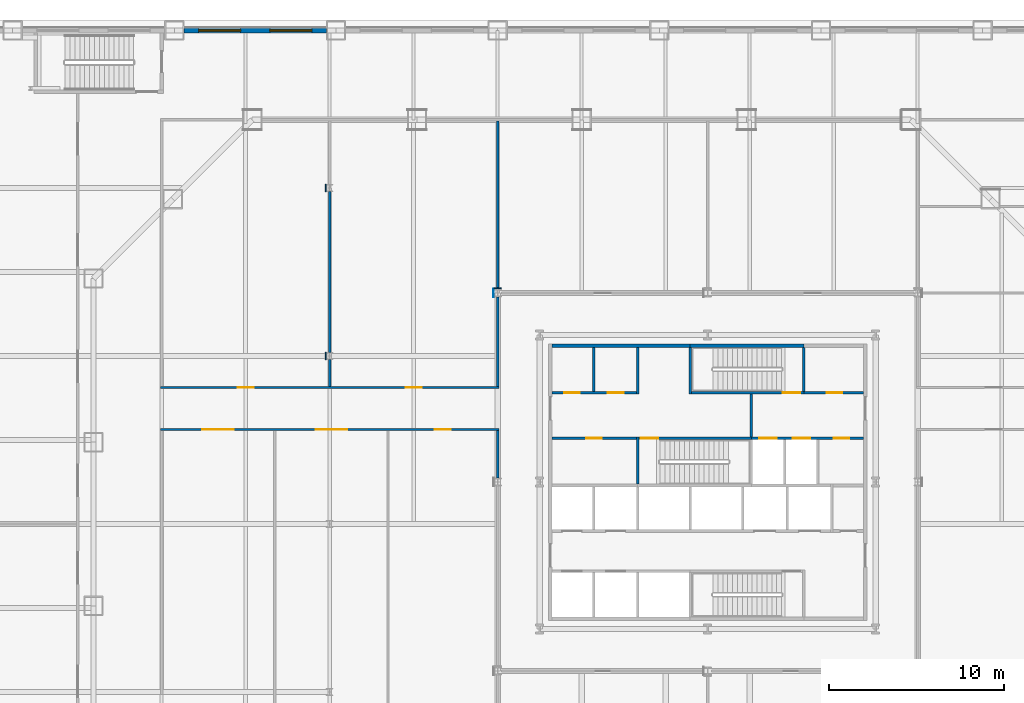
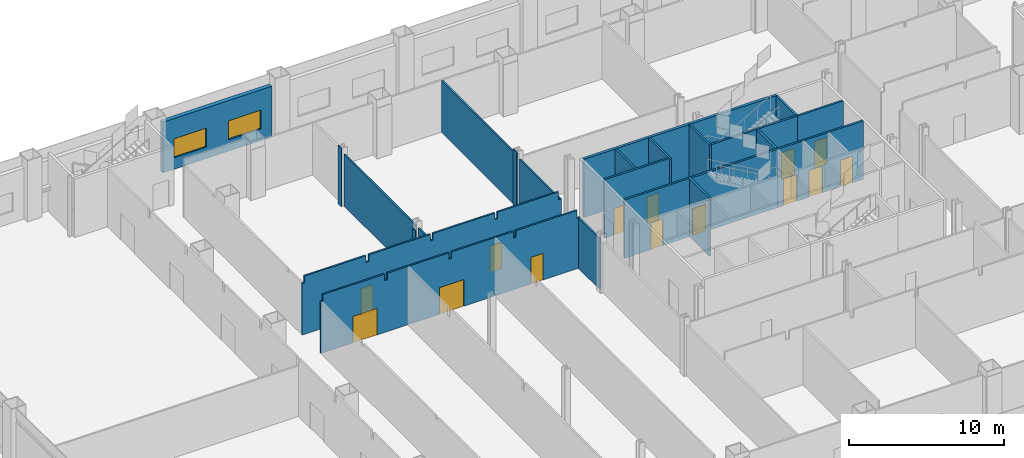
# One storey, part 15 of 26: 26 walls, 14 doors, 2 windows, 16 openings.
"""IFC4 building model written with IfcOpenShell, lengths in metres."""

from ifc_helpers import new_model, si_unit, direction, frame, frame_2d, origin, place, context, subcontext, project, spatial, polyline, rectangle, outline, extrude, material, layer, layer_set, type_object, element, fill, save


model = new_model("IFC4")

# Units and contexts
model_context = context("Model", 3, precision=1e-05, world=origin(), true_north=direction((0.0, 1.0)))
body_context = subcontext(model_context, "Body", "Model", "MODEL_VIEW")
ifc_project = project(units=[si_unit("LENGTHUNIT", "METRE"), si_unit("AREAUNIT", "SQUARE_METRE"), si_unit("VOLUMEUNIT", "CUBIC_METRE"), si_unit("PLANEANGLEUNIT", "RADIAN"), si_unit("MASSUNIT", "GRAM", prefix="KILO")], contexts=[model_context])

# Site, building, storey
site_placement = place(None, origin())
site = spatial("IfcSite", under=ifc_project, at=site_placement, CompositionType="ELEMENT")
building_placement = place(site_placement, origin())
building = spatial("IfcBuilding", under=site, at=building_placement, Name="Cairn Pilgrim Tower", CompositionType="ELEMENT")
storey_placement = place(building_placement, frame((0.0, 0.0, 25.800048828125)))
storey = spatial("IfcBuildingStorey", under=building, at=storey_placement, Name="L04", CompositionType="ELEMENT", Elevation=25.800048828125)

# Wall
ifc_material_1 = material(Name="Concrete C32/40", Category="concrete")
ifc_layer_1 = layer(ifc_material_1, 0.199951171875)
ifc_layer_set_1 = layer_set([ifc_layer_1], Name="CORE OUTER WALL 200 EI 120")
wall_type_1 = type_object("IfcWallType", Name="CORE OUTER WALL 200 EI 120", PredefinedType="SOLIDWALL", material=ifc_layer_set_1)
wall_1_placement = place(storey_placement, frame((-1.699951171875, 10.199951171875, 0.0), z_axis=(0.0, 0.0, 1.0), x_axis=(1.0, 0.0, 0.0)))
element("IfcWall", 1, at=wall_1_placement, inside=storey, type_object=wall_type_1, Name="CW:L04:H11-1", PredefinedType="SOLIDWALL", context=body_context, shape_type="SweptSolid", body=[
    extrude(rectangle(XDim=7.89990234375, YDim=0.199951171875, at=frame_2d((3.949951171875, 0.0))), origin(), (0.0, 0.0, 1.0), 4.599853515625),
])

# Wall, opening, door
ifc_layer_2 = layer(ifc_material_1, 0.14990234375)
ifc_layer_set_2 = layer_set([ifc_layer_2], Name="CORE PARTITION 150 EI 60")
wall_type_2 = type_object("IfcWallType", Name="CORE PARTITION 150 EI 60", PredefinedType="PARTITIONING", material=ifc_layer_set_2)
wall_2_placement = place(storey_placement, frame((-1.699951171875, 4.89990234375, 0.0), z_axis=(0.0, 0.0, 1.0), x_axis=(1.0, 0.0, 0.0)))
wall_2 = element("IfcWall", 2, at=wall_2_placement, inside=storey, type_object=wall_type_2, Name="CW:L04:H07", PredefinedType="PARTITIONING", context=body_context, shape_type="SweptSolid", body=[
    extrude(rectangle(XDim=4.824951171875, YDim=0.14990234375, at=frame_2d((2.41259765625, 0.0))), origin(), (0.0, 0.0, 1.0), 4.599853515625),
])
opening_1_placement = place(wall_2_placement, frame((1.949951171875, 0.0, 0.0)))
opening_1 = element("IfcOpeningElement", 3, at=opening_1_placement, cuts=wall_2, Name="Opening RD-R3W1", PredefinedType="OPENING", context=body_context, shape_type="SweptSolid", body=[
    extrude(rectangle(XDim=0.89990234375, YDim=2.10009765625, at=frame_2d((0.449951171875, 1.050048828125))), frame((0.0, 0.0849609375, 0.0), z_axis=(0.0, -1.0, 0.0), x_axis=(1.0, 0.0, 0.0)), (0.0, 0.0, 1.0), 0.169921875),
])
ifc_material_2 = material(Name="Painted steel", Category="steel")
door_type_1 = type_object("IfcDoorType", Name="SERVICE ROOM DOOR 900x2100", OperationType="SINGLE_SWING_LEFT", PredefinedType="DOOR", material=ifc_material_2)
door_1_placement = place(opening_1_placement, origin())
door_1 = element("IfcDoor", 4, at=door_1_placement, inside=storey, type_object=door_type_1, Name="RD-R3W1", OperationType="SINGLE_SWING_LEFT", OverallHeight=2.10009765625, OverallWidth=0.89990234375, PredefinedType="DOOR", context=body_context, shape_type="SweptSolid", body=[
    extrude(rectangle(XDim=0.89990234375, YDim=2.10009765625, at=frame_2d((0.449951171875, 1.050048828125))), frame((0.0, 0.02490234375, 0.0), z_axis=(0.0, -1.0, 0.0), x_axis=(1.0, 0.0, 0.0)), (0.0, 0.0, 1.0), 0.050048828125),
])
fill(opening_1, door_1)

# Wall, openings, doors
wall_3_placement = place(storey_placement, frame((-1.699951171875, 7.5, 0.0), z_axis=(0.0, 0.0, 1.0), x_axis=(1.0, 0.0, 0.0)))
wall_3 = element("IfcWall", 5, at=wall_3_placement, inside=storey, type_object=wall_type_2, Name="CW:L04:H09", PredefinedType="PARTITIONING", context=body_context, shape_type="SweptSolid", body=[
    extrude(rectangle(XDim=4.824951171875, YDim=0.14990234375, at=frame_2d((2.41259765625, 0.0))), origin(), (0.0, 0.0, 1.0), 4.599853515625),
])
opening_2_placement = place(wall_3_placement, frame((0.699951171875, 0.0, 0.0)))
opening_2 = element("IfcOpeningElement", 6, at=opening_2_placement, cuts=wall_3, Name="Opening RD-R4W1", PredefinedType="OPENING", context=body_context, shape_type="SweptSolid", body=[
    extrude(rectangle(XDim=0.89990234375, YDim=2.10009765625, at=frame_2d((0.449951171875, 1.050048828125))), frame((0.0, 0.0849609375, 0.0), z_axis=(0.0, -1.0, 0.0), x_axis=(1.0, 0.0, 0.0)), (0.0, 0.0, 1.0), 0.169921875),
])
opening_3_placement = place(wall_3_placement, frame((3.199951171875, 0.0, 0.0)))
opening_3 = element("IfcOpeningElement", 7, at=opening_3_placement, cuts=wall_3, Name="Opening RD-R4W2", PredefinedType="OPENING", context=body_context, shape_type="SweptSolid", body=[
    extrude(rectangle(XDim=0.89990234375, YDim=2.10009765625, at=frame_2d((0.449951171875, 1.050048828125))), frame((0.0, 0.0849609375, 0.0), z_axis=(0.0, -1.0, 0.0), x_axis=(1.0, 0.0, 0.0)), (0.0, 0.0, 1.0), 0.169921875),
])
door_2_placement = place(opening_2_placement, origin())
door_2 = element("IfcDoor", 8, at=door_2_placement, inside=storey, type_object=door_type_1, Name="RD-R4W1", OperationType="SINGLE_SWING_RIGHT", OverallHeight=2.10009765625, OverallWidth=0.89990234375, PredefinedType="DOOR", context=body_context, shape_type="SweptSolid", body=[
    extrude(rectangle(XDim=0.89990234375, YDim=2.10009765625, at=frame_2d((0.449951171875, 1.050048828125))), frame((0.0, 0.02490234375, 0.0), z_axis=(0.0, -1.0, 0.0), x_axis=(1.0, 0.0, 0.0)), (0.0, 0.0, 1.0), 0.050048828125),
])
fill(opening_2, door_2)
door_3_placement = place(opening_3_placement, origin())
door_3 = element("IfcDoor", 9, at=door_3_placement, inside=storey, type_object=door_type_1, Name="RD-R4W2", OperationType="SINGLE_SWING_LEFT", OverallHeight=2.10009765625, OverallWidth=0.89990234375, PredefinedType="DOOR", context=body_context, shape_type="SweptSolid", body=[
    extrude(rectangle(XDim=0.89990234375, YDim=2.10009765625, at=frame_2d((0.449951171875, 1.050048828125))), frame((0.0, 0.02490234375, 0.0), z_axis=(0.0, -1.0, 0.0), x_axis=(1.0, 0.0, 0.0)), (0.0, 0.0, 1.0), 0.050048828125),
])
fill(opening_3, door_3)

# Walls
wall_4_placement = place(storey_placement, frame((0.699951171875, 7.574951171875, 0.0), z_axis=(0.0, 0.0, 1.0), x_axis=(0.0, 1.0, 0.0)))
element("IfcWall", 10, at=wall_4_placement, inside=storey, type_object=wall_type_2, Name="CW:L04:V15", PredefinedType="PARTITIONING", context=body_context, shape_type="SweptSolid", body=[
    extrude(rectangle(XDim=2.525146484375, YDim=0.14990234375, at=frame_2d((1.2626953125, 0.0))), origin(), (0.0, 0.0, 1.0), 4.599853515625),
])
wall_5_placement = place(storey_placement, frame((3.199951171875, 7.425048828125, 0.0), z_axis=(0.0, 0.0, 1.0), x_axis=(0.0, 1.0, 0.0)))
element("IfcWall", 11, at=wall_5_placement, inside=storey, type_object=wall_type_2, Name="CW:L04:V19", PredefinedType="PARTITIONING", context=body_context, shape_type="SweptSolid", body=[
    extrude(rectangle(XDim=2.675048828125, YDim=0.14990234375, at=frame_2d((1.33740234375, 0.0))), origin(), (0.0, 0.0, 1.0), 4.599853515625),
])

# Wall, openings, doors
ifc_layer_3 = layer(ifc_material_1, 0.14990234375)
ifc_layer_set_3 = layer_set([ifc_layer_3], Name="CORE SHAFT WALL 150 EI 120")
wall_type_3 = type_object("IfcWallType", Name="CORE SHAFT WALL 150 EI 120", PredefinedType="SOLIDWALL", material=ifc_layer_set_3)
wall_6_placement = place(storey_placement, frame((9.699951171875, 4.89990234375, 0.0), z_axis=(0.0, 0.0, 1.0), x_axis=(1.0, 0.0, 0.0)))
wall_6 = element("IfcWall", 12, at=wall_6_placement, inside=storey, type_object=wall_type_3, Name="CW:L04:H08-2", PredefinedType="SOLIDWALL", context=body_context, shape_type="SweptSolid", body=[
    extrude(rectangle(XDim=6.400146484375, YDim=0.14990234375, at=frame_2d((3.2001953125, 0.0))), origin(), (0.0, 0.0, 1.0), 4.599853515625),
])
opening_4_placement = place(wall_6_placement, frame((0.449951171875, 0.0, 0.0)))
opening_4 = element("IfcOpeningElement", 13, at=opening_4_placement, cuts=wall_6, Name="Opening LD-FF1", PredefinedType="OPENING", context=body_context, shape_type="SweptSolid", body=[
    extrude(rectangle(XDim=1.0, YDim=2.10009765625, at=frame_2d((0.5, 1.050048828125))), frame((0.0, 0.0849609375, 0.0), z_axis=(0.0, -1.0, 0.0), x_axis=(1.0, 0.0, 0.0)), (0.0, 0.0, 1.0), 0.169921875),
])
opening_5_placement = place(wall_6_placement, frame((2.35009765625, 0.0, 0.0)))
opening_5 = element("IfcOpeningElement", 14, at=opening_5_placement, cuts=wall_6, Name="Opening LD-FF2", PredefinedType="OPENING", context=body_context, shape_type="SweptSolid", body=[
    extrude(rectangle(XDim=1.0, YDim=2.10009765625, at=frame_2d((0.5, 1.050048828125))), frame((0.0, 0.0849609375, 0.0), z_axis=(0.0, -1.0, 0.0), x_axis=(1.0, 0.0, 0.0)), (0.0, 0.0, 1.0), 0.169921875),
])
opening_6_placement = place(wall_6_placement, frame((4.699951171875, 0.0, 0.0)))
opening_6 = element("IfcOpeningElement", 15, at=opening_6_placement, cuts=wall_6, Name="Opening RD-R3E", PredefinedType="OPENING", context=body_context, shape_type="SweptSolid", body=[
    extrude(rectangle(XDim=0.89990234375, YDim=2.10009765625, at=frame_2d((0.449951171875, 1.050048828125))), frame((0.0, 0.0849609375, 0.0), z_axis=(0.0, -1.0, 0.0), x_axis=(1.0, 0.0, 0.0)), (0.0, 0.0, 1.0), 0.169921875),
])
ifc_material_3 = material(Name="Stainless steel", Category="steel")
door_type_2 = type_object("IfcDoorType", Name="LIFT LANDING DOOR FIRE 1000x2100", OperationType="DOUBLE_DOOR_SLIDING", PredefinedType="DOOR", material=ifc_material_3)
door_4_placement = place(opening_4_placement, origin())
door_4 = element("IfcDoor", 16, at=door_4_placement, inside=storey, type_object=door_type_2, Name="LANDING DOOR FF1", OperationType="DOUBLE_DOOR_SLIDING", OverallHeight=2.10009765625, OverallWidth=1.0, PredefinedType="DOOR", context=body_context, shape_type="SweptSolid", body=[
    extrude(rectangle(XDim=1.0, YDim=2.10009765625, at=frame_2d((0.5, 1.050048828125))), frame((0.0, 0.02490234375, 0.0), z_axis=(0.0, -1.0, 0.0), x_axis=(1.0, 0.0, 0.0)), (0.0, 0.0, 1.0), 0.050048828125),
])
fill(opening_4, door_4)
door_5_placement = place(opening_5_placement, origin())
door_5 = element("IfcDoor", 17, at=door_5_placement, inside=storey, type_object=door_type_2, Name="LANDING DOOR FF2", OperationType="DOUBLE_DOOR_SLIDING", OverallHeight=2.10009765625, OverallWidth=1.0, PredefinedType="DOOR", context=body_context, shape_type="SweptSolid", body=[
    extrude(rectangle(XDim=1.0, YDim=2.10009765625, at=frame_2d((0.5, 1.050048828125))), frame((0.0, 0.02490234375, 0.0), z_axis=(0.0, -1.0, 0.0), x_axis=(1.0, 0.0, 0.0)), (0.0, 0.0, 1.0), 0.050048828125),
])
fill(opening_5, door_5)
door_6_placement = place(opening_6_placement, origin())
door_6 = element("IfcDoor", 18, at=door_6_placement, inside=storey, type_object=door_type_1, Name="RD-R3E", OperationType="SINGLE_SWING_LEFT", OverallHeight=2.10009765625, OverallWidth=0.89990234375, PredefinedType="DOOR", context=body_context, shape_type="SweptSolid", body=[
    extrude(rectangle(XDim=0.89990234375, YDim=2.10009765625, at=frame_2d((0.449951171875, 1.050048828125))), frame((0.0, 0.02490234375, 0.0), z_axis=(0.0, -1.0, 0.0), x_axis=(1.0, 0.0, 0.0)), (0.0, 0.0, 1.0), 0.050048828125),
])
fill(opening_6, door_6)

# Wall, opening, door
wall_7_placement = place(storey_placement, frame((12.699951171875, 7.5, 0.0), z_axis=(0.0, 0.0, 1.0), x_axis=(1.0, 0.0, 0.0)))
wall_7 = element("IfcWall", 19, at=wall_7_placement, inside=storey, type_object=wall_type_3, Name="CW:L04:H10-2", PredefinedType="SOLIDWALL", context=body_context, shape_type="SweptSolid", body=[
    extrude(rectangle(XDim=3.400146484375, YDim=0.14990234375, at=frame_2d((1.7001953125, 0.0))), origin(), (0.0, 0.0, 1.0), 4.599853515625),
])
opening_7_placement = place(wall_7_placement, frame((1.300048828125, 0.0, 0.0)))
opening_7 = element("IfcOpeningElement", 20, at=opening_7_placement, cuts=wall_7, Name="Opening RD-R4E", PredefinedType="OPENING", context=body_context, shape_type="SweptSolid", body=[
    extrude(rectangle(XDim=0.89990234375, YDim=2.10009765625, at=frame_2d((0.449951171875, 1.050048828125))), frame((0.0, 0.0849609375, 0.0), z_axis=(0.0, -1.0, 0.0), x_axis=(1.0, 0.0, 0.0)), (0.0, 0.0, 1.0), 0.169921875),
])
door_7_placement = place(opening_7_placement, origin())
door_7 = element("IfcDoor", 21, at=door_7_placement, inside=storey, type_object=door_type_1, Name="RD-R4E", OperationType="SINGLE_SWING_RIGHT", OverallHeight=2.10009765625, OverallWidth=0.89990234375, PredefinedType="DOOR", context=body_context, shape_type="SweptSolid", body=[
    extrude(rectangle(XDim=0.89990234375, YDim=2.10009765625, at=frame_2d((0.449951171875, 1.050048828125))), frame((0.0, 0.02490234375, 0.0), z_axis=(0.0, -1.0, 0.0), x_axis=(1.0, 0.0, 0.0)), (0.0, 0.0, 1.0), 0.050048828125),
])
fill(opening_7, door_7)

# Walls
wall_8_placement = place(storey_placement, frame((9.699951171875, 4.97509765625, 0.0), z_axis=(0.0, 0.0, 1.0), x_axis=(0.0, 1.0, 0.0)))
element("IfcWall", 22, at=wall_8_placement, inside=storey, type_object=wall_type_3, Name="CW:L04:V25", PredefinedType="SOLIDWALL", context=body_context, shape_type="SweptSolid", body=[
    extrude(rectangle(XDim=2.449951171875, YDim=0.14990234375, at=frame_2d((1.22509765625, 0.0))), origin(), (0.0, 0.0, 1.0), 4.599853515625),
])
ifc_material_4 = material(Name="Gypsum partition")
ifc_layer_4 = layer(ifc_material_4, 0.125)
ifc_layer_set_4 = layer_set([ifc_layer_4], Name="PARTITION 125 DRYWALL EI 60")
wall_type_4 = type_object("IfcWallType", Name="PARTITION 125 DRYWALL EI 60", PredefinedType="PARTITIONING", material=ifc_layer_set_4)
wall_9_placement = place(storey_placement, frame((-4.800048828125, 2.636962890625, 0.0), z_axis=(0.0, 0.0, 1.0), x_axis=(0.0, 1.0, 0.0)))
element("IfcWall", 23, at=wall_9_placement, inside=storey, type_object=wall_type_4, Name="PARTITION W039", PredefinedType="PARTITIONING", context=body_context, shape_type="SweptSolid", body=[
    extrude(rectangle(XDim=2.700439453125, YDim=0.125, at=frame_2d((1.35009765625, 0.0))), origin(), (0.0, 0.0, 1.0), 3.97998046875),
])

# Wall, openings, doors
wall_10_placement = place(storey_placement, frame((-24.0625, 5.39990234375, 0.0), z_axis=(0.0, 0.0, 1.0), x_axis=(1.0, 0.0, 0.0)))
wall_10 = element("IfcWall", 24, at=wall_10_placement, inside=storey, type_object=wall_type_4, Name="PARTITION W045", PredefinedType="PARTITIONING", context=body_context, shape_type="SweptSolid", body=[
    extrude(outline(polyline([(0.0, 0.0), (19.324951171875, 0.0), (19.324951171875, 3.97998046875), (19.112548828125, 3.97998046875), (19.110595703125, 4.599853515625), (14.5625, 4.599853515625), (14.560546875, 4.079833984375), (14.362548828125, 4.079833984375), (14.360595703125, 4.599853515625), (9.762451171875, 4.599853515625), (9.760498046875, 4.079833984375), (9.5625, 4.079833984375), (9.560546875, 4.599853515625), (4.96240234375, 4.599853515625), (4.96044921875, 4.079833984375), (4.762451171875, 4.079833984375), (4.760498046875, 4.599853515625), (0.16259765625, 4.599853515625), (0.160400390625, 4.079833984375), (0.0, 4.079833984375), (0.0, 0.0)])), frame((0.0, 0.0625, 0.0), z_axis=(0.0, -1.0, 0.0), x_axis=(1.0, 0.0, 0.0)), (0.0, 0.0, 1.0), 0.125),
])
opening_8_placement = place(wall_10_placement, frame((2.395751953125, 0.0, 0.0)))
opening_8 = element("IfcOpeningElement", 25, at=opening_8_placement, cuts=wall_10, Name="Opening 0403", PredefinedType="OPENING", context=body_context, shape_type="SweptSolid", body=[
    extrude(rectangle(XDim=1.800048828125, YDim=2.10009765625, at=frame_2d((0.89990234375, 1.050048828125))), frame((0.0, 0.072509765625, 0.0), z_axis=(0.0, -1.0, 0.0), x_axis=(1.0, 0.0, 0.0)), (0.0, 0.0, 1.0), 0.14501953125),
])
opening_9_placement = place(wall_10_placement, frame((8.86376953125, 0.0, 0.0)))
opening_9 = element("IfcOpeningElement", 26, at=opening_9_placement, cuts=wall_10, Name="Opening 0404", PredefinedType="OPENING", context=body_context, shape_type="SweptSolid", body=[
    extrude(rectangle(XDim=1.800048828125, YDim=2.10009765625, at=frame_2d((0.89990234375, 1.050048828125))), frame((0.0, 0.072509765625, 0.0), z_axis=(0.0, -1.0, 0.0), x_axis=(1.0, 0.0, 0.0)), (0.0, 0.0, 1.0), 0.14501953125),
])
opening_10_placement = place(wall_10_placement, frame((15.679931640625, 0.0, 0.0)))
opening_10 = element("IfcOpeningElement", 27, at=opening_10_placement, cuts=wall_10, Name="Opening 0405", PredefinedType="OPENING", context=body_context, shape_type="SweptSolid", body=[
    extrude(rectangle(XDim=0.89990234375, YDim=2.10009765625, at=frame_2d((0.449951171875, 1.050048828125))), frame((0.0, 0.072509765625, 0.0), z_axis=(0.0, -1.0, 0.0), x_axis=(1.0, 0.0, 0.0)), (0.0, 0.0, 1.0), 0.14501953125),
])
ifc_material_5 = material(Name="Timber door leaf", Category="wood")
door_type_3 = type_object("IfcDoorType", Name="DOOR PAIR 1800x2100 FD60S", OperationType="NOTDEFINED", PredefinedType="DOOR", material=ifc_material_5)
door_8_placement = place(opening_8_placement, origin())
door_8 = element("IfcDoor", 28, at=door_8_placement, inside=storey, type_object=door_type_3, Name="DOOR 0403", OperationType="DOUBLE_DOOR_SINGLE_SWING", OverallHeight=2.10009765625, OverallWidth=1.800048828125, PredefinedType="DOOR", context=body_context, shape_type="SweptSolid", body=[
    extrude(rectangle(XDim=1.800048828125, YDim=2.10009765625, at=frame_2d((0.89990234375, 1.050048828125))), frame((0.0, 0.02490234375, 0.0), z_axis=(0.0, -1.0, 0.0), x_axis=(1.0, 0.0, 0.0)), (0.0, 0.0, 1.0), 0.050048828125),
])
fill(opening_8, door_8)
door_9_placement = place(opening_9_placement, origin())
door_9 = element("IfcDoor", 29, at=door_9_placement, inside=storey, type_object=door_type_3, Name="DOOR 0404", OperationType="DOUBLE_DOOR_SINGLE_SWING", OverallHeight=2.10009765625, OverallWidth=1.800048828125, PredefinedType="DOOR", context=body_context, shape_type="SweptSolid", body=[
    extrude(rectangle(XDim=1.800048828125, YDim=2.10009765625, at=frame_2d((0.89990234375, 1.050048828125))), frame((0.0, 0.02490234375, 0.0), z_axis=(0.0, -1.0, 0.0), x_axis=(1.0, 0.0, 0.0)), (0.0, 0.0, 1.0), 0.050048828125),
])
fill(opening_9, door_9)
door_type_4 = type_object("IfcDoorType", Name="ROOM DOOR 900x2100 FD30S", OperationType="NOTDEFINED", PredefinedType="DOOR", material=ifc_material_5)
door_10_placement = place(opening_10_placement, origin())
door_10 = element("IfcDoor", 30, at=door_10_placement, inside=storey, type_object=door_type_4, Name="DOOR 0405", OperationType="SINGLE_SWING_LEFT", OverallHeight=2.10009765625, OverallWidth=0.89990234375, PredefinedType="DOOR", context=body_context, shape_type="SweptSolid", body=[
    extrude(rectangle(XDim=0.89990234375, YDim=2.10009765625, at=frame_2d((0.449951171875, 1.050048828125))), frame((0.0, 0.02490234375, 0.0), z_axis=(0.0, -1.0, 0.0), x_axis=(1.0, 0.0, 0.0)), (0.0, 0.0, 1.0), 0.050048828125),
])
fill(opening_10, door_10)

wall_11_placement = place(storey_placement, frame((-24.0625, 7.800048828125, 0.0), z_axis=(0.0, 0.0, 1.0), x_axis=(1.0, 0.0, 0.0)))
wall_11 = element("IfcWall", 31, at=wall_11_placement, inside=storey, type_object=wall_type_4, Name="PARTITION W047", PredefinedType="PARTITIONING", context=body_context, shape_type="SweptSolid", body=[
    extrude(outline(polyline([(0.0, 0.0), (19.324951171875, 0.0), (19.324951171875, 3.97998046875), (19.112548828125, 3.97998046875), (19.110595703125, 4.599853515625), (14.5625, 4.599853515625), (14.560546875, 4.079833984375), (14.362548828125, 4.079833984375), (14.360595703125, 4.599853515625), (9.762451171875, 4.599853515625), (9.760498046875, 4.079833984375), (9.5625, 4.079833984375), (9.560546875, 4.599853515625), (4.96240234375, 4.599853515625), (4.96044921875, 4.079833984375), (4.762451171875, 4.079833984375), (4.760498046875, 4.599853515625), (0.16259765625, 4.599853515625), (0.160400390625, 4.079833984375), (0.0, 4.079833984375), (0.0, 0.0)])), frame((0.0, 0.0625, 0.0), z_axis=(0.0, -1.0, 0.0), x_axis=(1.0, 0.0, 0.0)), (0.0, 0.0, 1.0), 0.125),
])
opening_11_placement = place(wall_11_placement, frame((4.41259765625, 0.0, 0.0)))
opening_11 = element("IfcOpeningElement", 32, at=opening_11_placement, cuts=wall_11, Name="Opening 0401", PredefinedType="OPENING", context=body_context, shape_type="SweptSolid", body=[
    extrude(rectangle(XDim=0.89990234375, YDim=2.10009765625, at=frame_2d((0.449951171875, 1.050048828125))), frame((0.0, 0.072509765625, 0.0), z_axis=(0.0, -1.0, 0.0), x_axis=(1.0, 0.0, 0.0)), (0.0, 0.0, 1.0), 0.14501953125),
])
opening_12_placement = place(wall_11_placement, frame((14.012451171875, 0.0, 0.0)))
opening_12 = element("IfcOpeningElement", 33, at=opening_12_placement, cuts=wall_11, Name="Opening 0402", PredefinedType="OPENING", context=body_context, shape_type="SweptSolid", body=[
    extrude(rectangle(XDim=0.89990234375, YDim=2.10009765625, at=frame_2d((0.449951171875, 1.050048828125))), frame((0.0, 0.072509765625, 0.0), z_axis=(0.0, -1.0, 0.0), x_axis=(1.0, 0.0, 0.0)), (0.0, 0.0, 1.0), 0.14501953125),
])
door_11_placement = place(opening_11_placement, frame((0.89990234375, 0.0, 0.0), z_axis=(0.0, 0.0, 1.0), x_axis=(-1.0, 0.0, 0.0)))
door_11 = element("IfcDoor", 34, at=door_11_placement, inside=storey, type_object=door_type_4, Name="DOOR 0401", OperationType="SINGLE_SWING_LEFT", OverallHeight=2.10009765625, OverallWidth=0.89990234375, PredefinedType="DOOR", context=body_context, shape_type="SweptSolid", body=[
    extrude(rectangle(XDim=0.89990234375, YDim=2.10009765625, at=frame_2d((0.449951171875, 1.050048828125))), frame((0.0, 0.02490234375, 0.0), z_axis=(0.0, -1.0, 0.0), x_axis=(1.0, 0.0, 0.0)), (0.0, 0.0, 1.0), 0.050048828125),
])
fill(opening_11, door_11)
door_12_placement = place(opening_12_placement, frame((0.89990234375, 0.0, 0.0), z_axis=(0.0, 0.0, 1.0), x_axis=(-1.0, 0.0, 0.0)))
door_12 = element("IfcDoor", 35, at=door_12_placement, inside=storey, type_object=door_type_4, Name="DOOR 0402", OperationType="SINGLE_SWING_LEFT", OverallHeight=2.10009765625, OverallWidth=0.89990234375, PredefinedType="DOOR", context=body_context, shape_type="SweptSolid", body=[
    extrude(rectangle(XDim=0.89990234375, YDim=2.10009765625, at=frame_2d((0.449951171875, 1.050048828125))), frame((0.0, 0.02490234375, 0.0), z_axis=(0.0, -1.0, 0.0), x_axis=(1.0, 0.0, 0.0)), (0.0, 0.0, 1.0), 0.050048828125),
])
fill(opening_12, door_12)

# Walls
wall_12_placement = place(storey_placement, frame((-14.39990234375, 7.862548828125, 0.0), z_axis=(0.0, 0.0, 1.0), x_axis=(0.0, 1.0, 0.0)))
element("IfcWall", 36, at=wall_12_placement, inside=storey, type_object=wall_type_4, Name="PARTITION W050", PredefinedType="PARTITIONING", context=body_context, shape_type="SweptSolid", body=[
    extrude(rectangle(XDim=1.52490234375, YDim=0.125, at=frame_2d((0.762451171875, 0.0))), origin(), (0.0, 0.0, 1.0), 4.079833984375),
])
wall_13_placement = place(storey_placement, frame((-4.800048828125, 7.862548828125, 0.0), z_axis=(0.0, 0.0, 1.0), x_axis=(0.0, 1.0, 0.0)))
element("IfcWall", 37, at=wall_13_placement, inside=storey, type_object=wall_type_4, Name="PARTITION W051", PredefinedType="PARTITIONING", context=body_context, shape_type="SweptSolid", body=[
    extrude(rectangle(XDim=5.100341796875, YDim=0.125, at=frame_2d((2.55029296875, 0.0))), origin(), (0.0, 0.0, 1.0), 3.97998046875),
])
wall_14_placement = place(storey_placement, frame((-14.39990234375, 9.8125, 0.0), z_axis=(0.0, 0.0, 1.0), x_axis=(0.0, 1.0, 0.0)))
element("IfcWall", 38, at=wall_14_placement, inside=storey, type_object=wall_type_4, Name="PARTITION W054", PredefinedType="PARTITIONING", context=body_context, shape_type="SweptSolid", body=[
    extrude(rectangle(XDim=9.175048828125, YDim=0.125, at=frame_2d((4.58740234375, 0.0))), origin(), (0.0, 0.0, 1.0), 4.079833984375),
])
wall_15_placement = place(storey_placement, frame((-4.800048828125, 13.43701171875, 0.0), z_axis=(0.0, 0.0, 1.0), x_axis=(0.0, 1.0, 0.0)))
element("IfcWall", 39, at=wall_15_placement, inside=storey, type_object=wall_type_4, Name="PARTITION W059", PredefinedType="PARTITIONING", context=body_context, shape_type="SweptSolid", body=[
    extrude(rectangle(XDim=9.6005859375, YDim=0.125, at=frame_2d((4.80029296875, 0.0))), origin(), (0.0, 0.0, 1.0), 4.079833984375),
])
ifc_layer_5 = layer(ifc_material_4, 0.050048828125)
ifc_layer_set_5 = layer_set([ifc_layer_5], Name="PARTITION 50 DRYWALL EI 60")
wall_type_5 = type_object("IfcWallType", Name="PARTITION 50 DRYWALL EI 60", PredefinedType="PARTITIONING", material=ifc_layer_set_5)
wall_16_placement = place(storey_placement, frame((-14.62939453125, 9.387451171875, 0.0), z_axis=(0.0, 0.0, 1.0), x_axis=(0.0, 1.0, 0.0)))
element("IfcWall", 40, at=wall_16_placement, inside=storey, type_object=wall_type_5, Name="COLUMN CASING WC27", PredefinedType="PARTITIONING", context=body_context, shape_type="SweptSolid", body=[
    extrude(rectangle(XDim=0.425048828125, YDim=0.050048828125, at=frame_2d((0.21240234375, 0.0))), origin(), (0.0, 0.0, 1.0), 3.8798828125),
])
wall_17_placement = place(storey_placement, frame((-14.62939453125, 18.987548828125, 0.0), z_axis=(0.0, 0.0, 1.0), x_axis=(0.0, 1.0, 0.0)))
element("IfcWall", 41, at=wall_17_placement, inside=storey, type_object=wall_type_5, Name="COLUMN CASING WC28", PredefinedType="PARTITIONING", context=body_context, shape_type="SweptSolid", body=[
    extrude(rectangle(XDim=0.425048828125, YDim=0.050048828125, at=frame_2d((0.21240234375, 0.0))), origin(), (0.0, 0.0, 1.0), 4.599853515625),
])
wall_18_placement = place(storey_placement, frame((-5.037109375, 12.962890625, 0.0), z_axis=(0.0, 0.0, 1.0), x_axis=(0.0, 1.0, 0.0)))
element("IfcWall", 42, at=wall_18_placement, inside=storey, type_object=wall_type_5, Name="COLUMN CASING WC29", PredefinedType="PARTITIONING", context=body_context, shape_type="SweptSolid", body=[
    extrude(rectangle(XDim=0.47412109375, YDim=0.050048828125, at=frame_2d((0.237060546875, 0.0))), origin(), (0.0, 0.0, 1.0), 4.599853515625),
])
wall_19_placement = place(storey_placement, frame((-5.011962890625, 13.4619140625, 0.0), z_axis=(0.0, 0.0, 1.0), x_axis=(1.0, 0.0, 0.0)))
element("IfcWall", 43, at=wall_19_placement, inside=storey, type_object=wall_type_5, Name="COLUMN CASING WC33", PredefinedType="PARTITIONING", context=body_context, shape_type="SweptSolid", body=[
    extrude(rectangle(XDim=0.424072265625, YDim=0.050048828125, at=frame_2d((0.2119140625, 0.0))), origin(), (0.0, 0.0, 1.0), 4.079833984375),
])

# Wall, openings, windows
ifc_material_6 = material(Name="Concrete C35/45 backup wall with bronze aluminium cladding", Category="concrete")
ifc_layer_6 = layer(ifc_material_6, 0.300048828125)
ifc_layer_set_6 = layer_set([ifc_layer_6], Name="PODIUM WALL 300 BRONZE-CLAD")
wall_type_6 = type_object("IfcWallType", Name="PODIUM WALL 300 BRONZE-CLAD", PredefinedType="SOLIDWALL", material=ifc_layer_set_6)
wall_20_placement = place(storey_placement, frame((-14.587890625, 28.199951171875, 0.0), z_axis=(0.0, 0.0, 1.0), x_axis=(-1.0, 0.0, 0.0)))
wall_20 = element("IfcWall", 44, at=wall_20_placement, inside=storey, type_object=wall_type_6, Name="PODIUM EXTERNAL WALL N6-N7", PredefinedType="SOLIDWALL", context=body_context, shape_type="SweptSolid", body=[
    extrude(rectangle(XDim=8.1376953125, YDim=0.300048828125, at=frame_2d((4.06884765625, 0.0))), origin(), (0.0, 0.0, 1.0), 4.0),
])
opening_13_placement = place(wall_20_placement, frame((0.83447265625, 0.0, 0.89990234375)))
opening_13 = element("IfcOpeningElement", 45, at=opening_13_placement, cuts=wall_20, Name="Opening PW15", PredefinedType="OPENING", context=body_context, shape_type="SweptSolid", body=[
    extrude(rectangle(XDim=2.39990234375, YDim=1.5, at=frame_2d((1.199951171875, 0.75))), frame((0.0, 0.16015625, 0.0), z_axis=(0.0, -1.0, 0.0), x_axis=(1.0, 0.0, 0.0)), (0.0, 0.0, 1.0), 0.320068359375),
])
opening_14_placement = place(wall_20_placement, frame((4.9033203125, 0.0, 0.89990234375)))
opening_14 = element("IfcOpeningElement", 46, at=opening_14_placement, cuts=wall_20, Name="Opening PW15", PredefinedType="OPENING", context=body_context, shape_type="SweptSolid", body=[
    extrude(rectangle(XDim=2.39990234375, YDim=1.5, at=frame_2d((1.199951171875, 0.75))), frame((0.0, 0.16015625, 0.0), z_axis=(0.0, -1.0, 0.0), x_axis=(1.0, 0.0, 0.0)), (0.0, 0.0, 1.0), 0.320068359375),
])
ifc_material_7 = material(Name="Bronze anodised aluminium frame with tinted low-E glass", Category="aluminium")
window_type = type_object("IfcWindowType", Name="PODIUM FIXED WINDOW 2400x1500", PartitioningType="SINGLE_PANEL", PredefinedType="WINDOW", material=ifc_material_7)
window_1_placement = place(opening_13_placement, origin())
window_1 = element("IfcWindow", 47, at=window_1_placement, inside=storey, type_object=window_type, Name="PODIUM WINDOW", OverallHeight=1.5, OverallWidth=2.39990234375, PartitioningType="SINGLE_PANEL", PredefinedType="WINDOW", context=body_context, shape_type="SweptSolid", body=[
    extrude(rectangle(XDim=2.39990234375, YDim=1.5, at=frame_2d((1.199951171875, 0.75))), frame((0.0, 0.030029296875, 0.0), z_axis=(0.0, -1.0, 0.0), x_axis=(1.0, 0.0, 0.0)), (0.0, 0.0, 1.0), 0.06005859375),
])
fill(opening_13, window_1)
window_2_placement = place(opening_14_placement, origin())
window_2 = element("IfcWindow", 48, at=window_2_placement, inside=storey, type_object=window_type, Name="PODIUM WINDOW", OverallHeight=1.5, OverallWidth=2.39990234375, PartitioningType="SINGLE_PANEL", PredefinedType="WINDOW", context=body_context, shape_type="SweptSolid", body=[
    extrude(rectangle(XDim=2.39990234375, YDim=1.5, at=frame_2d((1.199951171875, 0.75))), frame((0.0, 0.030029296875, 0.0), z_axis=(0.0, -1.0, 0.0), x_axis=(1.0, 0.0, 0.0)), (0.0, 0.0, 1.0), 0.06005859375),
])
fill(opening_14, window_2)

# Wall, opening, door
ifc_material_8 = material(Name="Concrete C35/45", Category="concrete")
ifc_layer_7 = layer(ifc_material_8, 0.14990234375)
ifc_layer_set_7 = layer_set([ifc_layer_7], Name="STAIR SHAFT WALL 150 EI 120")
wall_type_7 = type_object("IfcWallType", Name="STAIR SHAFT WALL 150 EI 120", PredefinedType="SOLIDWALL", material=ifc_layer_set_7)
wall_21_placement = place(storey_placement, frame((3.27490234375, 4.89990234375, 0.0), z_axis=(0.0, 0.0, 1.0), x_axis=(1.0, 0.0, 0.0)))
wall_21 = element("IfcWall", 49, at=wall_21_placement, inside=storey, type_object=wall_type_7, Name="CW:L04:H08-1", PredefinedType="SOLIDWALL", context=body_context, shape_type="SweptSolid", body=[
    extrude(rectangle(XDim=6.425048828125, YDim=0.14990234375, at=frame_2d((3.21240234375, 0.0))), origin(), (0.0, 0.0, 1.0), 4.599853515625),
])
opening_15_placement = place(wall_21_placement, frame((0.10009765625, 0.0, 0.0)))
opening_15 = element("IfcOpeningElement", 50, at=opening_15_placement, cuts=wall_21, Name="Opening SD-B", PredefinedType="OPENING", context=body_context, shape_type="SweptSolid", body=[
    extrude(rectangle(XDim=1.0, YDim=2.10009765625, at=frame_2d((0.5, 1.050048828125))), frame((0.0, 0.0849609375, 0.0), z_axis=(0.0, -1.0, 0.0), x_axis=(1.0, 0.0, 0.0)), (0.0, 0.0, 1.0), 0.169921875),
])
door_type_5 = type_object("IfcDoorType", Name="STAIR DOOR FD60S 1000x2100", OperationType="SINGLE_SWING_LEFT", PredefinedType="DOOR", material=ifc_material_2)
door_13_placement = place(opening_15_placement, origin())
door_13 = element("IfcDoor", 51, at=door_13_placement, inside=storey, type_object=door_type_5, Name="SD-B", OperationType="SINGLE_SWING_RIGHT", OverallHeight=2.10009765625, OverallWidth=1.0, PredefinedType="DOOR", context=body_context, shape_type="SweptSolid", body=[
    extrude(rectangle(XDim=1.0, YDim=2.10009765625, at=frame_2d((0.5, 1.050048828125))), frame((0.0, 0.02490234375, 0.0), z_axis=(0.0, -1.0, 0.0), x_axis=(1.0, 0.0, 0.0)), (0.0, 0.0, 1.0), 0.050048828125),
])
fill(opening_15, door_13)

wall_22_placement = place(storey_placement, frame((6.27490234375, 7.5, 0.0), z_axis=(0.0, 0.0, 1.0), x_axis=(1.0, 0.0, 0.0)))
wall_22 = element("IfcWall", 52, at=wall_22_placement, inside=storey, type_object=wall_type_7, Name="CW:L04:H10-1", PredefinedType="SOLIDWALL", context=body_context, shape_type="SweptSolid", body=[
    extrude(rectangle(XDim=6.425048828125, YDim=0.14990234375, at=frame_2d((3.21240234375, 0.0))), origin(), (0.0, 0.0, 1.0), 4.599853515625),
])
opening_16_placement = place(wall_22_placement, frame((5.22509765625, 0.0, 0.0)))
opening_16 = element("IfcOpeningElement", 53, at=opening_16_placement, cuts=wall_22, Name="Opening SD-C", PredefinedType="OPENING", context=body_context, shape_type="SweptSolid", body=[
    extrude(rectangle(XDim=1.0, YDim=2.10009765625, at=frame_2d((0.5, 1.050048828125))), frame((0.0, 0.0849609375, 0.0), z_axis=(0.0, -1.0, 0.0), x_axis=(1.0, 0.0, 0.0)), (0.0, 0.0, 1.0), 0.169921875),
])
door_14_placement = place(opening_16_placement, origin())
door_14 = element("IfcDoor", 54, at=door_14_placement, inside=storey, type_object=door_type_5, Name="SD-C", OperationType="SINGLE_SWING_LEFT", OverallHeight=2.10009765625, OverallWidth=1.0, PredefinedType="DOOR", context=body_context, shape_type="SweptSolid", body=[
    extrude(rectangle(XDim=1.0, YDim=2.10009765625, at=frame_2d((0.5, 1.050048828125))), frame((0.0, 0.02490234375, 0.0), z_axis=(0.0, -1.0, 0.0), x_axis=(1.0, 0.0, 0.0)), (0.0, 0.0, 1.0), 0.050048828125),
])
fill(opening_16, door_14)

# Walls
wall_23_placement = place(storey_placement, frame((3.199951171875, 2.27490234375, 0.0), z_axis=(0.0, 0.0, 1.0), x_axis=(0.0, 1.0, 0.0)))
element("IfcWall", 55, at=wall_23_placement, inside=storey, type_object=wall_type_7, Name="CW:L04:V18", PredefinedType="SOLIDWALL", context=body_context, shape_type="SweptSolid", body=[
    extrude(rectangle(XDim=2.7001953125, YDim=0.14990234375, at=frame_2d((1.35009765625, 0.0))), origin(), (0.0, 0.0, 1.0), 4.599853515625),
])
wall_24_placement = place(storey_placement, frame((6.199951171875, 7.425048828125, 0.0), z_axis=(0.0, 0.0, 1.0), x_axis=(0.0, 1.0, 0.0)))
element("IfcWall", 56, at=wall_24_placement, inside=storey, type_object=wall_type_7, Name="CW:L04:V22", PredefinedType="SOLIDWALL", context=body_context, shape_type="SweptSolid", body=[
    extrude(rectangle(XDim=2.675048828125, YDim=0.14990234375, at=frame_2d((1.33740234375, 0.0))), origin(), (0.0, 0.0, 1.0), 4.599853515625),
])
wall_25_placement = place(storey_placement, frame((12.699951171875, 7.574951171875, 0.0), z_axis=(0.0, 0.0, 1.0), x_axis=(0.0, 1.0, 0.0)))
element("IfcWall", 57, at=wall_25_placement, inside=storey, type_object=wall_type_7, Name="CW:L04:V29", PredefinedType="SOLIDWALL", context=body_context, shape_type="SweptSolid", body=[
    extrude(rectangle(XDim=2.525146484375, YDim=0.14990234375, at=frame_2d((1.2626953125, 0.0))), origin(), (0.0, 0.0, 1.0), 4.599853515625),
])
ifc_layer_8 = layer(ifc_material_8, 0.199951171875)
ifc_layer_set_8 = layer_set([ifc_layer_8], Name="STAIR SHAFT WALL 200 EI 120")
wall_type_8 = type_object("IfcWallType", Name="STAIR SHAFT WALL 200 EI 120", PredefinedType="SOLIDWALL", material=ifc_layer_set_8)
wall_26_placement = place(storey_placement, frame((6.199951171875, 10.199951171875, 0.0), z_axis=(0.0, 0.0, 1.0), x_axis=(1.0, 0.0, 0.0)))
element("IfcWall", 58, at=wall_26_placement, inside=storey, type_object=wall_type_8, Name="CW:L04:H11-2", PredefinedType="SOLIDWALL", context=body_context, shape_type="SweptSolid", body=[
    extrude(rectangle(XDim=6.5, YDim=0.199951171875, at=frame_2d((3.25, 0.0))), origin(), (0.0, 0.0, 1.0), 4.599853515625),
])

save(model, "model.ifc")
